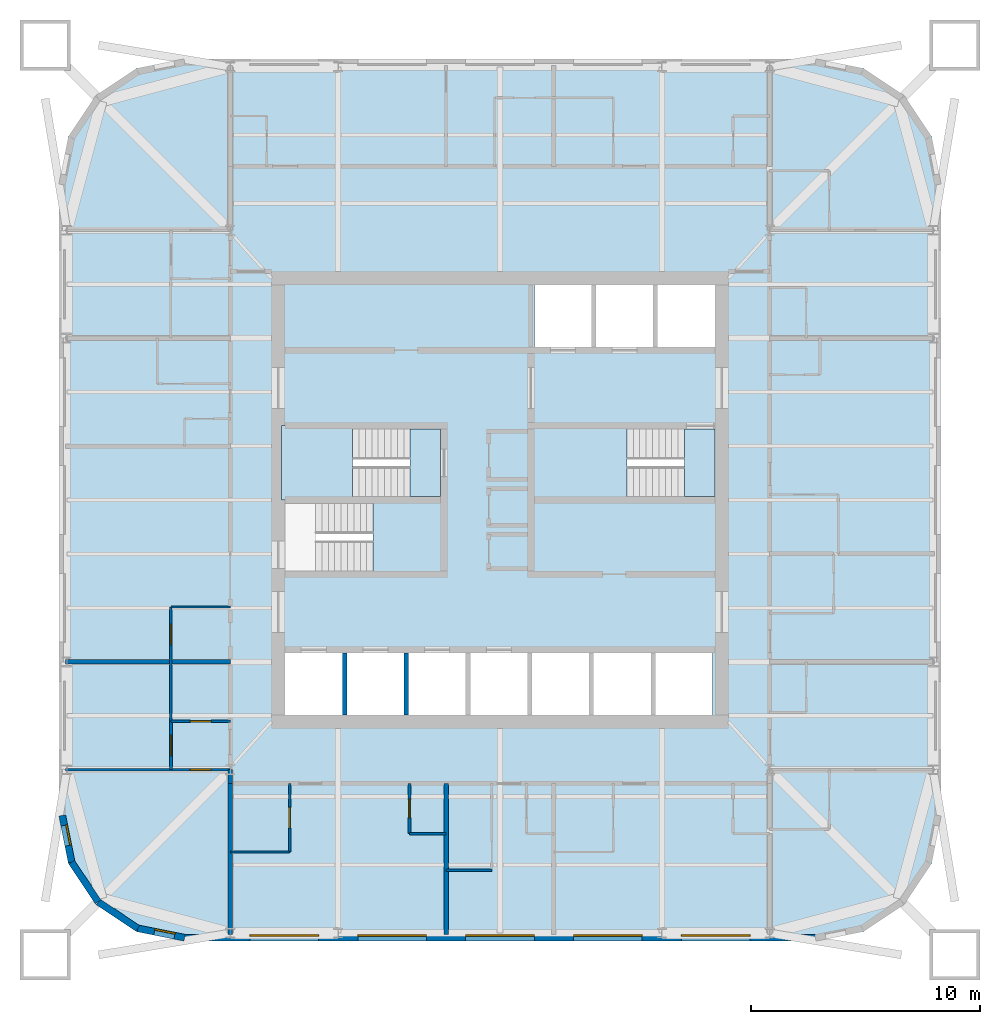
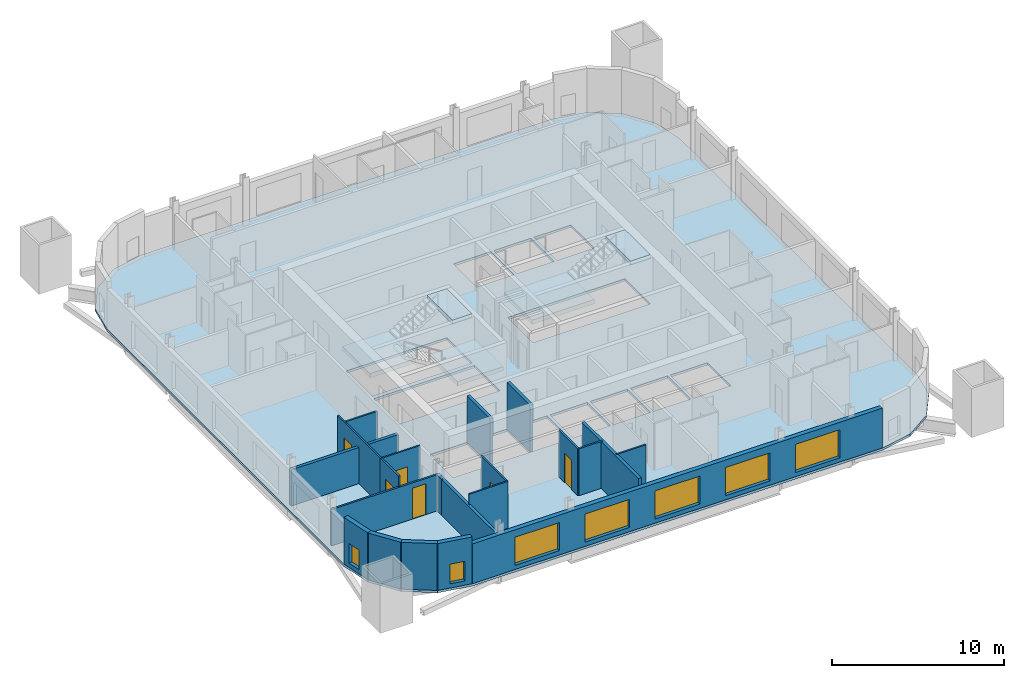
# One storey, part 2 of 8: 21 walls, 7 windows, 6 doors, 6 slabs, 13 openings, 3 elements without a shape of their own.
"""IFC4 building model written with IfcOpenShell, lengths in metres."""

from ifc_helpers import new_model, si_unit, direction, frame, frame_2d, origin, place, context, subcontext, project, spatial, polyline, rectangle, outline, extrude, material, layer, layer_set, type_object, element, fill, aggregate, save


model = new_model("IFC4")

# Units and contexts
model_context = context("Model", 3, precision=1e-05, world=origin(), true_north=direction((0.0, 1.0)))
body_context = subcontext(model_context, "Body", "Model", "MODEL_VIEW")
ifc_project = project(units=[si_unit("LENGTHUNIT", "METRE"), si_unit("AREAUNIT", "SQUARE_METRE"), si_unit("VOLUMEUNIT", "CUBIC_METRE"), si_unit("PLANEANGLEUNIT", "RADIAN"), si_unit("MASSUNIT", "GRAM", prefix="KILO")], contexts=[model_context])

# Site, building, storey
site_placement = place(None, origin())
site = spatial("IfcSite", under=ifc_project, at=site_placement, CompositionType="ELEMENT")
building_placement = place(site_placement, origin())
building = spatial("IfcBuilding", under=site, at=building_placement, Name="Turquesa Mirador Hotel Tower", CompositionType="ELEMENT")
storey_placement = place(building_placement, frame((0.0, 0.0, 165.300048828125)))
storey = spatial("IfcBuildingStorey", under=building, at=storey_placement, Name="L44", CompositionType="ELEMENT", Elevation=165.300048828125)

# Slab
ifc_material_1 = material(Name="Concrete C28/35", Category="concrete")
ifc_layer_1 = layer(ifc_material_1, 0.169921875)
ifc_layer_set_1 = layer_set([ifc_layer_1], Name="COMPOSITE FLOOR SLAB 170")
slab_type_1 = type_object("IfcSlabType", Name="COMPOSITE FLOOR SLAB 170", PredefinedType="FLOOR", material=ifc_layer_set_1)
slab_1_placement = place(storey_placement, frame((0.0, 0.0, -0.170166015625)))
element("IfcSlab", 1, at=slab_1_placement, inside=storey, type_object=slab_type_1, Name="Floor slab L44", PredefinedType="FLOOR", context=body_context, shape_type="SweptSolid", body=[
    extrude(outline(polyline([(68.800048828125, 25.699951171875), (70.90478515625, 26.11865234375), (72.689208984375, 27.310791015625), (73.88134765625, 29.09521484375), (74.300048828125, 31.199951171875), (74.300048828125, 58.800048828125), (73.88134765625, 60.90478515625), (72.689208984375, 62.689208984375), (70.90478515625, 63.88134765625), (68.800048828125, 64.300048828125), (41.199951171875, 64.300048828125), (39.09521484375, 63.88134765625), (37.310791015625, 62.689208984375), (36.11865234375, 60.90478515625), (35.699951171875, 58.800048828125), (35.699951171875, 31.199951171875), (36.11865234375, 29.09521484375), (37.310791015625, 27.310791015625), (39.09521484375, 26.11865234375), (41.199951171875, 25.699951171875), (68.800048828125, 25.699951171875)]), holes=[polyline([(56.5, 51.699951171875), (59.0, 51.699951171875), (59.0, 54.39990234375), (56.5, 54.39990234375), (56.5, 51.699951171875)]), polyline([(59.199951171875, 51.699951171875), (61.699951171875, 51.699951171875), (61.699951171875, 54.39990234375), (59.199951171875, 54.39990234375), (59.199951171875, 51.699951171875)]), polyline([(45.60009765625, 35.60009765625), (48.10009765625, 35.60009765625), (48.10009765625, 38.300048828125), (45.60009765625, 38.300048828125), (45.60009765625, 35.60009765625)]), polyline([(48.300048828125, 35.60009765625), (50.800048828125, 35.60009765625), (50.800048828125, 38.300048828125), (48.300048828125, 38.300048828125), (48.300048828125, 35.60009765625)]), polyline([(51.0, 35.60009765625), (53.5, 35.60009765625), (53.5, 38.300048828125), (51.0, 38.300048828125), (51.0, 35.60009765625)]), polyline([(53.699951171875, 35.60009765625), (56.199951171875, 35.60009765625), (56.199951171875, 38.300048828125), (53.699951171875, 38.300048828125), (53.699951171875, 35.60009765625)]), polyline([(56.39990234375, 35.60009765625), (58.89990234375, 35.60009765625), (58.89990234375, 38.300048828125), (56.39990234375, 38.300048828125), (56.39990234375, 35.60009765625)]), polyline([(59.10009765625, 35.60009765625), (61.60009765625, 35.60009765625), (61.60009765625, 38.300048828125), (59.10009765625, 38.300048828125), (59.10009765625, 35.60009765625)]), polyline([(61.800048828125, 35.60009765625), (64.300048828125, 35.60009765625), (64.300048828125, 38.300048828125), (61.800048828125, 38.300048828125), (61.800048828125, 35.60009765625)]), polyline([(45.60009765625, 45.14990234375), (52.39990234375, 45.14990234375), (52.39990234375, 48.10009765625), (45.60009765625, 48.10009765625), (45.60009765625, 45.14990234375)]), polyline([(45.60009765625, 41.89990234375), (52.39990234375, 41.89990234375), (52.39990234375, 44.85009765625), (45.60009765625, 44.85009765625), (45.60009765625, 41.89990234375)]), polyline([(56.5, 45.14990234375), (64.39990234375, 45.14990234375), (64.39990234375, 48.10009765625), (56.5, 48.10009765625), (56.5, 45.14990234375)]), polyline([(61.89990234375, 51.699951171875), (64.39990234375, 51.699951171875), (64.39990234375, 54.39990234375), (61.89990234375, 54.39990234375), (61.89990234375, 51.699951171875)])]), origin(), (0.0, 0.0, 1.0), 0.170166015625),
])

# Stair, slabs
ifc_material_2 = material(Name="Concrete C35/45", Category="concrete")
stair_type = type_object("IfcStairType", Name="ESCAPE STAIR CORE", PredefinedType="HALF_TURN_STAIR", material=ifc_material_2)
stair_1_placement = place(storey_placement, origin())
stair_1 = element("IfcStair", 2, at=stair_1_placement, inside=storey, type_object=stair_type, Name="Stair ST1 L44 to L45", PredefinedType="HALF_TURN_STAIR")
ifc_material_3 = material(Name="Concrete C35/45", Category="concrete")
ifc_layer_2 = layer(ifc_material_3, 0.300048828125)
ifc_layer_set_2 = layer_set([ifc_layer_2], Name="STAIR LANDING 300")
slab_type_2 = type_object("IfcSlabType", Name="STAIR LANDING 300", PredefinedType="LANDING", material=ifc_layer_set_2)
slab_2_placement = place(storey_placement, frame((0.0, 0.0, 1.449951171875)))
slab_2 = element("IfcSlab", 3, at=slab_2_placement, type_object=slab_type_2, Name="ST1 landing 1", PredefinedType="LANDING", context=body_context, shape_type="SweptSolid", body=[
    extrude(outline(polyline([(45.449951171875, 45.0), (48.550048828125, 45.0), (48.550048828125, 48.25), (45.449951171875, 48.25), (45.449951171875, 45.0)])), origin(), (0.0, 0.0, 1.0), 0.300048828125),
])
slab_3_placement = place(storey_placement, frame((0.0, 0.0, 3.199951171875)))
slab_3 = element("IfcSlab", 4, at=slab_3_placement, type_object=slab_type_2, Name="ST1 landing 2", PredefinedType="LANDING", context=body_context, shape_type="SweptSolid", body=[
    extrude(outline(polyline([(51.070068359375, 45.14990234375), (52.39990234375, 45.14990234375), (52.39990234375, 48.10009765625), (51.070068359375, 48.10009765625), (51.070068359375, 45.14990234375)])), origin(), (0.0, 0.0, 1.0), 0.300048828125),
])
aggregate(stair_1, [slab_2, slab_3])

# Stair, slab
stair_2_placement = place(storey_placement, origin())
stair_2 = element("IfcStair", 5, at=stair_2_placement, inside=storey, type_object=stair_type, Name="Stair ST2 L44 to L45", PredefinedType="HALF_TURN_STAIR")
slab_4_placement = place(storey_placement, frame((0.0, 0.0, 1.449951171875)))
slab_4 = element("IfcSlab", 6, at=slab_4_placement, type_object=slab_type_2, Name="ST2 landing 1", PredefinedType="LANDING", context=body_context, shape_type="SweptSolid", body=[
    extrude(outline(polyline([(52.550048828125, 45.0), (49.449951171875, 45.0), (49.449951171875, 41.75), (52.550048828125, 41.75), (52.550048828125, 45.0)])), origin(), (0.0, 0.0, 1.0), 0.300048828125),
])
aggregate(stair_2, [slab_4])

# Stair, slabs
stair_3_placement = place(storey_placement, origin())
stair_3 = element("IfcStair", 7, at=stair_3_placement, inside=storey, type_object=stair_type, Name="Stair ST3 L44 to L45", PredefinedType="HALF_TURN_STAIR")
slab_5_placement = place(storey_placement, frame((0.0, 0.0, 1.449951171875)))
slab_5 = element("IfcSlab", 8, at=slab_5_placement, type_object=slab_type_2, Name="ST3 landing 1", PredefinedType="LANDING", context=body_context, shape_type="SweptSolid", body=[
    extrude(outline(polyline([(56.35009765625, 45.0), (60.550048828125, 45.0), (60.550048828125, 48.25), (56.35009765625, 48.25), (56.35009765625, 45.0)])), origin(), (0.0, 0.0, 1.0), 0.300048828125),
])
slab_6_placement = place(storey_placement, frame((0.0, 0.0, 3.199951171875)))
slab_6 = element("IfcSlab", 9, at=slab_6_placement, type_object=slab_type_2, Name="ST3 landing 2", PredefinedType="LANDING", context=body_context, shape_type="SweptSolid", body=[
    extrude(outline(polyline([(63.070068359375, 45.14990234375), (64.39990234375, 45.14990234375), (64.39990234375, 48.10009765625), (63.070068359375, 48.10009765625), (63.070068359375, 45.14990234375)])), origin(), (0.0, 0.0, 1.0), 0.300048828125),
])
aggregate(stair_3, [slab_5, slab_6])

# Walls
ifc_material_4 = material(Name="Gypsum board on steel studs", Category="steel")
ifc_layer_3 = layer(ifc_material_4, 0.10009765625)
ifc_layer_set_3 = layer_set([ifc_layer_3], Name="BATHROOM WALL 100")
wall_type_1 = type_object("IfcWallType", Name="BATHROOM WALL 100", PredefinedType="PARTITIONING", material=ifc_layer_set_3)
wall_1_placement = place(storey_placement, frame((43.199951171875, 29.60009765625, 0.0), z_axis=(0.0, 0.0, 1.0), x_axis=(1.0, 0.0, 0.0)))
element("IfcWall", 10, at=wall_1_placement, inside=storey, type_object=wall_type_1, Name="Partition L44 009", PredefinedType="PARTITIONING", context=body_context, shape_type="SweptSolid", body=[
    extrude(rectangle(XDim=2.60009765625, YDim=0.10009765625, at=frame_2d((1.300048828125, 0.0))), origin(), (0.0, 0.0, 1.0), 3.329833984375),
])
wall_2_placement = place(storey_placement, frame((52.639892578125, 28.800048828125, 0.0), z_axis=(0.0, 0.0, 1.0), x_axis=(1.0, 0.0, 0.0)))
element("IfcWall", 11, at=wall_2_placement, inside=storey, type_object=wall_type_1, Name="Partition L44 011", PredefinedType="PARTITIONING", context=body_context, shape_type="SweptSolid", body=[
    extrude(rectangle(XDim=2.0, YDim=0.10009765625, at=frame_2d((1.0, 0.0))), origin(), (0.0, 0.0, 1.0), 3.329833984375),
])
wall_3_placement = place(storey_placement, frame((40.60009765625, 40.320068359375, 0.0), z_axis=(0.0, 0.0, 1.0), x_axis=(1.0, 0.0, 0.0)))
element("IfcWall", 12, at=wall_3_placement, inside=storey, type_object=wall_type_1, Name="Partition L44 014", PredefinedType="PARTITIONING", context=body_context, shape_type="SweptSolid", body=[
    extrude(rectangle(XDim=2.599853515625, YDim=0.10009765625, at=frame_2d((1.2998046875, 0.0))), origin(), (0.0, 0.0, 1.0), 2.73046875),
])

# Wall, opening, door
wall_4_placement = place(storey_placement, frame((40.60009765625, 35.320068359375, 0.0), z_axis=(0.0, 0.0, 1.0), x_axis=(1.0, 0.0, 0.0)))
wall_4 = element("IfcWall", 13, at=wall_4_placement, inside=storey, type_object=wall_type_1, Name="Partition L44 019", PredefinedType="PARTITIONING", context=body_context, shape_type="SweptSolid", body=[
    extrude(rectangle(XDim=2.599853515625, YDim=0.10009765625, at=frame_2d((1.2998046875, 0.0))), origin(), (0.0, 0.0, 1.0), 3.329833984375),
])
opening_1_placement = place(wall_4_placement, frame((0.85009765625, 0.0, 0.0)))
opening_1 = element("IfcOpeningElement", 14, at=opening_1_placement, cuts=wall_4, Name="Opening D02", PredefinedType="OPENING", context=body_context, shape_type="SweptSolid", body=[
    extrude(rectangle(XDim=0.89990234375, YDim=2.10009765625, at=frame_2d((0.449951171875, 1.050048828125))), frame((0.0, 0.06005859375, 0.0), z_axis=(0.0, -1.0, 0.0), x_axis=(1.0, 0.0, 0.0)), (0.0, 0.0, 1.0), 0.1201171875),
])
ifc_material_5 = material(Name="Timber veneered door", Category="wood")
door_type_1 = type_object("IfcDoorType", Name="DOOR 900X2100 EN-SUITE", OperationType="SINGLE_SWING_RIGHT", PredefinedType="DOOR", material=ifc_material_5)
door_1_placement = place(opening_1_placement, origin())
door_1 = element("IfcDoor", 15, at=door_1_placement, inside=storey, type_object=door_type_1, Name="Door 4411B", OperationType="SINGLE_SWING_RIGHT", OverallHeight=2.10009765625, OverallWidth=0.89990234375, PredefinedType="DOOR", context=body_context, shape_type="SweptSolid", body=[
    extrude(rectangle(XDim=0.89990234375, YDim=2.10009765625, at=frame_2d((0.449951171875, 1.050048828125))), frame((0.0, 0.02490234375, 0.0), z_axis=(0.0, -1.0, 0.0), x_axis=(1.0, 0.0, 0.0)), (0.0, 0.0, 1.0), 0.050048828125),
])
fill(opening_1, door_1)

wall_5_placement = place(storey_placement, frame((40.60009765625, 35.320068359375, 0.0), z_axis=(0.0, 0.0, 1.0), x_axis=(0.0, 1.0, 0.0)))
wall_5 = element("IfcWall", 16, at=wall_5_placement, inside=storey, type_object=wall_type_1, Name="Partition L44 046", PredefinedType="PARTITIONING", context=body_context, shape_type="SweptSolid", body=[
    extrude(rectangle(XDim=5.0, YDim=0.10009765625, at=frame_2d((2.5, 0.0))), origin(), (0.0, 0.0, 1.0), 3.329833984375),
])
opening_2_placement = place(wall_5_placement, frame((3.35009765625, 0.0, 0.0)))
opening_2 = element("IfcOpeningElement", 17, at=opening_2_placement, cuts=wall_5, Name="Opening D17", PredefinedType="OPENING", context=body_context, shape_type="SweptSolid", body=[
    extrude(rectangle(XDim=0.89990234375, YDim=2.199951171875, at=frame_2d((0.449951171875, 1.10009765625))), frame((0.0, 0.06005859375, 0.0), z_axis=(0.0, -1.0, 0.0), x_axis=(1.0, 0.0, 0.0)), (0.0, 0.0, 1.0), 0.1201171875),
])
ifc_material_6 = material(Name="Timber veneered door", Category="wood")
door_type_2 = type_object("IfcDoorType", Name="DOOR 900X2200 SUITE INTERNAL", OperationType="SINGLE_SWING_LEFT", PredefinedType="DOOR", material=ifc_material_6)
door_2_placement = place(opening_2_placement, origin())
door_2 = element("IfcDoor", 18, at=door_2_placement, inside=storey, type_object=door_type_2, Name="Door L44-LGP", OperationType="SINGLE_SWING_LEFT", OverallHeight=2.199951171875, OverallWidth=0.89990234375, PredefinedType="DOOR", context=body_context, shape_type="SweptSolid", body=[
    extrude(rectangle(XDim=0.89990234375, YDim=2.199951171875, at=frame_2d((0.449951171875, 1.10009765625))), frame((0.0, 0.02490234375, 0.0), z_axis=(0.0, -1.0, 0.0), x_axis=(1.0, 0.0, 0.0)), (0.0, 0.0, 1.0), 0.050048828125),
])
fill(opening_2, door_2)

wall_6_placement = place(storey_placement, frame((45.800048828125, 29.60009765625, 0.0), z_axis=(0.0, 0.0, 1.0), x_axis=(0.0, 1.0, 0.0)))
wall_6 = element("IfcWall", 19, at=wall_6_placement, inside=storey, type_object=wall_type_1, Name="Partition L44 054", PredefinedType="PARTITIONING", context=body_context, shape_type="SweptSolid", body=[
    extrude(rectangle(XDim=3.0, YDim=0.10009765625, at=frame_2d((1.5, 0.0))), origin(), (0.0, 0.0, 1.0), 3.329833984375),
])
opening_3_placement = place(wall_6_placement, frame((1.050048828125, 0.0, 0.0)))
opening_3 = element("IfcOpeningElement", 20, at=opening_3_placement, cuts=wall_6, Name="Opening D02", PredefinedType="OPENING", context=body_context, shape_type="SweptSolid", body=[
    extrude(rectangle(XDim=0.89990234375, YDim=2.10009765625, at=frame_2d((0.449951171875, 1.050048828125))), frame((0.0, 0.06005859375, 0.0), z_axis=(0.0, -1.0, 0.0), x_axis=(1.0, 0.0, 0.0)), (0.0, 0.0, 1.0), 0.1201171875),
])
door_3_placement = place(opening_3_placement, origin())
door_3 = element("IfcDoor", 21, at=door_3_placement, inside=storey, type_object=door_type_1, Name="Door 4403B", OperationType="SINGLE_SWING_RIGHT", OverallHeight=2.10009765625, OverallWidth=0.89990234375, PredefinedType="DOOR", context=body_context, shape_type="SweptSolid", body=[
    extrude(rectangle(XDim=0.89990234375, YDim=2.10009765625, at=frame_2d((0.449951171875, 1.050048828125))), frame((0.0, 0.02490234375, 0.0), z_axis=(0.0, -1.0, 0.0), x_axis=(1.0, 0.0, 0.0)), (0.0, 0.0, 1.0), 0.050048828125),
])
fill(opening_3, door_3)

# Wall
ifc_material_7 = material(Name="Fire-rated gypsum board on steel studs", Category="steel")
ifc_layer_4 = layer(ifc_material_7, 0.199951171875)
ifc_layer_set_4 = layer_set([ifc_layer_4], Name="CORRIDOR WALL 200")
wall_type_2 = type_object("IfcWallType", Name="CORRIDOR WALL 200", PredefinedType="PARTITIONING", material=ifc_layer_set_4)
wall_7_placement = place(storey_placement, frame((43.199951171875, 32.60009765625, 0.0), z_axis=(0.0, 0.0, 1.0), x_axis=(0.0, 1.0, 0.0)))
element("IfcWall", 22, at=wall_7_placement, inside=storey, type_object=wall_type_2, Name="Partition L44 073", PredefinedType="PARTITIONING", context=body_context, shape_type="SweptSolid", body=[
    extrude(rectangle(XDim=0.619873046875, YDim=0.199951171875, at=frame_2d((0.31005859375, 0.0))), origin(), (0.0, 0.0, 1.0), 2.572998046875),
])

# Wall, opening, window
ifc_material_8 = material(Name="Limestone cladding on concrete block", Category="masonry")
ifc_layer_5 = layer(ifc_material_8, 0.300048828125)
ifc_layer_set_5 = layer_set([ifc_layer_5], Name="FACADE WALL 300 STONE SCREEN")
wall_type_3 = type_object("IfcWallType", Name="FACADE WALL 300 STONE SCREEN", PredefinedType="SOLIDWALL", material=ifc_layer_set_5)
wall_8_placement = place(storey_placement, frame((35.85009765625, 31.199951171875, 0.0), z_axis=(0.0, 0.0, 1.0), x_axis=(0.195081421501, -0.980787050784, 0.0)))
wall_8 = element("IfcWall", 23, at=wall_8_placement, inside=storey, type_object=wall_type_3, Name="Facade wall L44 15", PredefinedType="SOLIDWALL", context=body_context, shape_type="SweptSolid", body=[
    extrude(rectangle(XDim=2.08740234375, YDim=0.300048828125, at=frame_2d((1.043701171875, 0.0))), origin(), (0.0, 0.0, 1.0), 3.329833984375),
])
opening_4_placement = place(wall_8_placement, frame((0.443603515625, 0.0, 0.300048828125)))
opening_4 = element("IfcOpeningElement", 24, at=opening_4_placement, cuts=wall_8, Name="Opening WN22", PredefinedType="OPENING", context=body_context, shape_type="SweptSolid", body=[
    extrude(rectangle(XDim=0.89990234375, YDim=1.39990234375, at=frame_2d((0.449951171875, 0.699951171875))), frame((0.0, 0.159912109375, 0.0), z_axis=(0.0, -1.0, 0.0), x_axis=(1.0, 0.0, 0.0)), (0.0, 0.0, 1.0), 0.320068359375),
])
ifc_material_9 = material(Name="Ceramic-fritted laminated glass", Category="glass")
window_type_1 = type_object("IfcWindowType", Name="FRITTED CORNER WINDOW 900X1400", PartitioningType="DOUBLE_PANEL_HORIZONTAL", PredefinedType="WINDOW", material=ifc_material_9)
window_1_placement = place(opening_4_placement, origin())
window_1 = element("IfcWindow", 25, at=window_1_placement, inside=storey, type_object=window_type_1, Name="Window L44", OverallHeight=1.39990234375, OverallWidth=0.89990234375, PartitioningType="SINGLE_PANEL", PredefinedType="WINDOW", context=body_context, shape_type="SweptSolid", body=[
    extrude(rectangle(XDim=0.89990234375, YDim=1.39990234375, at=frame_2d((0.449951171875, 0.699951171875))), frame((0.0, 0.130126953125, 0.0), z_axis=(0.0, -1.0, 0.0), x_axis=(1.0, 0.0, 0.0)), (0.0, 0.0, 1.0), 0.06005859375),
])
fill(opening_4, window_1)

# Walls
for number, where, z_axis, x_axis, name in (
    (26, (36.25732421875, 29.152587890625, 0.0), (0.0, 0.0, 1.0), (0.555563607591, -0.831474039234, 0.0), "Facade wall L44 16"),
    (27, (37.4169921875, 27.4169921875, 0.0), (0.0, 0.0, 1.0), (0.831474039234, -0.555563607591, 0.0), "Facade wall L44 17"),
):
    element("IfcWall", number, at=place(storey_placement, frame(where, z_axis=z_axis, x_axis=x_axis)), inside=storey, type_object=wall_type_3, Name=name, PredefinedType="SOLIDWALL", context=body_context, shape_type="SweptSolid", body=[
        extrude(rectangle(XDim=2.08740234375, YDim=0.300048828125, at=frame_2d((1.043701171875, 0.0))), origin(), (0.0, 0.0, 1.0), 3.329833984375),
    ])

# Wall, opening, window
wall_9_placement = place(storey_placement, frame((39.152587890625, 26.25732421875, 0.0), z_axis=(0.0, 0.0, 1.0), x_axis=(0.980787050784, -0.195081421501, 0.0)))
wall_9 = element("IfcWall", 28, at=wall_9_placement, inside=storey, type_object=wall_type_3, Name="Facade wall L44 18", PredefinedType="SOLIDWALL", context=body_context, shape_type="SweptSolid", body=[
    extrude(rectangle(XDim=2.08740234375, YDim=0.300048828125, at=frame_2d((1.043701171875, 0.0))), origin(), (0.0, 0.0, 1.0), 3.329833984375),
])
opening_5_placement = place(wall_9_placement, frame((0.74365234375, 0.0, 0.300048828125)))
opening_5 = element("IfcOpeningElement", 29, at=opening_5_placement, cuts=wall_9, Name="Opening WN22", PredefinedType="OPENING", context=body_context, shape_type="SweptSolid", body=[
    extrude(rectangle(XDim=0.89990234375, YDim=1.39990234375, at=frame_2d((0.449951171875, 0.699951171875))), frame((0.0, 0.159912109375, 0.0), z_axis=(0.0, -1.0, 0.0), x_axis=(1.0, 0.0, 0.0)), (0.0, 0.0, 1.0), 0.320068359375),
])
window_2_placement = place(opening_5_placement, origin())
window_2 = element("IfcWindow", 30, at=window_2_placement, inside=storey, type_object=window_type_1, Name="Window L44", OverallHeight=1.39990234375, OverallWidth=0.89990234375, PartitioningType="SINGLE_PANEL", PredefinedType="WINDOW", context=body_context, shape_type="SweptSolid", body=[
    extrude(rectangle(XDim=0.89990234375, YDim=1.39990234375, at=frame_2d((0.449951171875, 0.699951171875))), frame((0.0, 0.130126953125, 0.0), z_axis=(0.0, -1.0, 0.0), x_axis=(1.0, 0.0, 0.0)), (0.0, 0.0, 1.0), 0.06005859375),
])
fill(opening_5, window_2)

# Wall, openings, windows
wall_10_placement = place(storey_placement, frame((41.199951171875, 25.85009765625, 0.0), z_axis=(0.0, 0.0, 1.0), x_axis=(1.0, 0.0, 0.0)))
wall_10 = element("IfcWall", 31, at=wall_10_placement, inside=storey, type_object=wall_type_3, Name="Facade wall L44 19", PredefinedType="SOLIDWALL", context=body_context, shape_type="SweptSolid", body=[
    extrude(rectangle(XDim=27.60009765625, YDim=0.300048828125, at=frame_2d((13.800048828125, 0.0))), origin(), (0.0, 0.0, 1.0), 2.829833984375),
])
opening_6_placement = place(wall_10_placement, frame((2.860107421875, 0.0, 0.300048828125)))
opening_6 = element("IfcOpeningElement", 32, at=opening_6_placement, cuts=wall_10, Name="Opening WN1", PredefinedType="OPENING", context=body_context, shape_type="SweptSolid", body=[
    extrude(rectangle(XDim=3.0, YDim=2.0, at=frame_2d((1.5, 1.0))), frame((0.0, 0.159912109375, 0.0), z_axis=(0.0, -1.0, 0.0), x_axis=(1.0, 0.0, 0.0)), (0.0, 0.0, 1.0), 0.320068359375),
])
opening_7_placement = place(wall_10_placement, frame((7.580078125, 0.0, 0.300048828125)))
opening_7 = element("IfcOpeningElement", 33, at=opening_7_placement, cuts=wall_10, Name="Opening WN1", PredefinedType="OPENING", context=body_context, shape_type="SweptSolid", body=[
    extrude(rectangle(XDim=3.0, YDim=2.0, at=frame_2d((1.5, 1.0))), frame((0.0, 0.159912109375, 0.0), z_axis=(0.0, -1.0, 0.0), x_axis=(1.0, 0.0, 0.0)), (0.0, 0.0, 1.0), 0.320068359375),
])
opening_8_placement = place(wall_10_placement, frame((12.300048828125, 0.0, 0.300048828125)))
opening_8 = element("IfcOpeningElement", 34, at=opening_8_placement, cuts=wall_10, Name="Opening WN1", PredefinedType="OPENING", context=body_context, shape_type="SweptSolid", body=[
    extrude(rectangle(XDim=3.0, YDim=2.0, at=frame_2d((1.5, 1.0))), frame((0.0, 0.159912109375, 0.0), z_axis=(0.0, -1.0, 0.0), x_axis=(1.0, 0.0, 0.0)), (0.0, 0.0, 1.0), 0.320068359375),
])
opening_9_placement = place(wall_10_placement, frame((17.02001953125, 0.0, 0.300048828125)))
opening_9 = element("IfcOpeningElement", 35, at=opening_9_placement, cuts=wall_10, Name="Opening WN1", PredefinedType="OPENING", context=body_context, shape_type="SweptSolid", body=[
    extrude(rectangle(XDim=3.0, YDim=2.0, at=frame_2d((1.5, 1.0))), frame((0.0, 0.159912109375, 0.0), z_axis=(0.0, -1.0, 0.0), x_axis=(1.0, 0.0, 0.0)), (0.0, 0.0, 1.0), 0.320068359375),
])
opening_10_placement = place(wall_10_placement, frame((21.739990234375, 0.0, 0.300048828125)))
opening_10 = element("IfcOpeningElement", 36, at=opening_10_placement, cuts=wall_10, Name="Opening WN1", PredefinedType="OPENING", context=body_context, shape_type="SweptSolid", body=[
    extrude(rectangle(XDim=3.0, YDim=2.0, at=frame_2d((1.5, 1.0))), frame((0.0, 0.159912109375, 0.0), z_axis=(0.0, -1.0, 0.0), x_axis=(1.0, 0.0, 0.0)), (0.0, 0.0, 1.0), 0.320068359375),
])
ifc_material_10 = material(Name="Ceramic-fritted laminated glass", Category="glass")
window_type_2 = type_object("IfcWindowType", Name="FRITTED WINDOW 3000X2000", PartitioningType="DOUBLE_PANEL_HORIZONTAL", PredefinedType="WINDOW", material=ifc_material_10)
window_3_placement = place(opening_6_placement, origin())
window_3 = element("IfcWindow", 37, at=window_3_placement, inside=storey, type_object=window_type_2, Name="Window L44", OverallHeight=2.0, OverallWidth=3.0, PartitioningType="SINGLE_PANEL", PredefinedType="WINDOW", context=body_context, shape_type="SweptSolid", body=[
    extrude(rectangle(XDim=3.0, YDim=2.0, at=frame_2d((1.5, 1.0))), frame((0.0, 0.130126953125, 0.0), z_axis=(0.0, -1.0, 0.0), x_axis=(1.0, 0.0, 0.0)), (0.0, 0.0, 1.0), 0.06005859375),
])
fill(opening_6, window_3)
window_4_placement = place(opening_7_placement, origin())
window_4 = element("IfcWindow", 38, at=window_4_placement, inside=storey, type_object=window_type_2, Name="Window L44", OverallHeight=2.0, OverallWidth=3.0, PartitioningType="SINGLE_PANEL", PredefinedType="WINDOW", context=body_context, shape_type="SweptSolid", body=[
    extrude(rectangle(XDim=3.0, YDim=2.0, at=frame_2d((1.5, 1.0))), frame((0.0, 0.130126953125, 0.0), z_axis=(0.0, -1.0, 0.0), x_axis=(1.0, 0.0, 0.0)), (0.0, 0.0, 1.0), 0.06005859375),
])
fill(opening_7, window_4)
window_5_placement = place(opening_8_placement, origin())
window_5 = element("IfcWindow", 39, at=window_5_placement, inside=storey, type_object=window_type_2, Name="Window L44", OverallHeight=2.0, OverallWidth=3.0, PartitioningType="SINGLE_PANEL", PredefinedType="WINDOW", context=body_context, shape_type="SweptSolid", body=[
    extrude(rectangle(XDim=3.0, YDim=2.0, at=frame_2d((1.5, 1.0))), frame((0.0, 0.130126953125, 0.0), z_axis=(0.0, -1.0, 0.0), x_axis=(1.0, 0.0, 0.0)), (0.0, 0.0, 1.0), 0.06005859375),
])
fill(opening_8, window_5)
window_6_placement = place(opening_9_placement, origin())
window_6 = element("IfcWindow", 40, at=window_6_placement, inside=storey, type_object=window_type_2, Name="Window L44", OverallHeight=2.0, OverallWidth=3.0, PartitioningType="SINGLE_PANEL", PredefinedType="WINDOW", context=body_context, shape_type="SweptSolid", body=[
    extrude(rectangle(XDim=3.0, YDim=2.0, at=frame_2d((1.5, 1.0))), frame((0.0, 0.130126953125, 0.0), z_axis=(0.0, -1.0, 0.0), x_axis=(1.0, 0.0, 0.0)), (0.0, 0.0, 1.0), 0.06005859375),
])
fill(opening_9, window_6)
window_7_placement = place(opening_10_placement, origin())
window_7 = element("IfcWindow", 41, at=window_7_placement, inside=storey, type_object=window_type_2, Name="Window L44", OverallHeight=2.0, OverallWidth=3.0, PartitioningType="SINGLE_PANEL", PredefinedType="WINDOW", context=body_context, shape_type="SweptSolid", body=[
    extrude(rectangle(XDim=3.0, YDim=2.0, at=frame_2d((1.5, 1.0))), frame((0.0, 0.130126953125, 0.0), z_axis=(0.0, -1.0, 0.0), x_axis=(1.0, 0.0, 0.0)), (0.0, 0.0, 1.0), 0.06005859375),
])
fill(opening_10, window_7)

# Walls
ifc_material_11 = material(Name="Fire-rated gypsum shaft wall on steel studs", Category="steel")
ifc_layer_6 = layer(ifc_material_11, 0.199951171875)
ifc_layer_set_6 = layer_set([ifc_layer_6], Name="LIFT SHAFT DIVIDER 200")
wall_type_4 = type_object("IfcWallType", Name="LIFT SHAFT DIVIDER 200", PredefinedType="PARTITIONING", material=ifc_layer_set_6)
for number, where, z_axis, x_axis, name in (
    (42, (48.199951171875, 35.60009765625, 0.0), (0.0, 0.0, 1.0), (0.0, 1.0, 0.0), "Lift shaft divider"),
    (43, (50.89990234375, 35.60009765625, 0.0), (0.0, 0.0, 1.0), (0.0, 1.0, 0.0), "Lift shaft divider"),
):
    element("IfcWall", number, at=place(storey_placement, frame(where, z_axis=z_axis, x_axis=x_axis)), inside=storey, type_object=wall_type_4, Name=name, PredefinedType="PARTITIONING", context=body_context, shape_type="SweptSolid", body=[
        extrude(rectangle(XDim=2.699951171875, YDim=0.199951171875, at=frame_2d((1.35009765625, 0.0))), origin(), (0.0, 0.0, 1.0), 3.329833984375),
    ])
ifc_material_12 = material(Name="Fire-rated gypsum board on steel studs", Category="steel")
ifc_layer_7 = layer(ifc_material_12, 0.199951171875)
ifc_layer_set_7 = layer_set([ifc_layer_7], Name="PARTY WALL 200")
wall_type_5 = type_object("IfcWallType", Name="PARTY WALL 200", PredefinedType="PARTITIONING", material=ifc_layer_set_7)
wall_11_placement = place(storey_placement, frame((36.0, 37.919921875, 0.0), z_axis=(0.0, 0.0, 1.0), x_axis=(1.0, 0.0, 0.0)))
element("IfcWall", 44, at=wall_11_placement, inside=storey, type_object=wall_type_5, Name="Partition L44 016", PredefinedType="PARTITIONING", context=body_context, shape_type="SweptSolid", body=[
    extrude(rectangle(XDim=7.199951171875, YDim=0.199951171875, at=frame_2d((3.60009765625, 0.0))), origin(), (0.0, 0.0, 1.0), 2.572998046875),
])
wall_12_placement = place(storey_placement, frame((43.199951171875, 26.0, 0.0), z_axis=(0.0, 0.0, 1.0), x_axis=(0.0, 1.0, 0.0)))
element("IfcWall", 45, at=wall_12_placement, inside=storey, type_object=wall_type_5, Name="Partition L44 043", PredefinedType="PARTITIONING", context=body_context, shape_type="SweptSolid", body=[
    extrude(rectangle(XDim=6.60009765625, YDim=0.199951171875, at=frame_2d((3.300048828125, 0.0))), origin(), (0.0, 0.0, 1.0), 2.572998046875),
])
wall_13_placement = place(storey_placement, frame((52.639892578125, 26.0, 0.0), z_axis=(0.0, 0.0, 1.0), x_axis=(0.0, 1.0, 0.0)))
element("IfcWall", 46, at=wall_13_placement, inside=storey, type_object=wall_type_5, Name="Partition L44 051", PredefinedType="PARTITIONING", context=body_context, shape_type="SweptSolid", body=[
    extrude(rectangle(XDim=6.60009765625, YDim=0.199951171875, at=frame_2d((3.300048828125, 0.0))), origin(), (0.0, 0.0, 1.0), 3.329833984375),
])

# Wall, opening, door
ifc_material_13 = material(Name="Acoustic gypsum board on steel studs", Category="steel")
ifc_layer_8 = layer(ifc_material_13, 0.125)
ifc_layer_set_8 = layer_set([ifc_layer_8], Name="SUITE PARTITION 125")
wall_type_6 = type_object("IfcWallType", Name="SUITE PARTITION 125", PredefinedType="PARTITIONING", material=ifc_layer_set_8)
wall_14_placement = place(storey_placement, frame((36.0, 33.199951171875, 0.0), z_axis=(0.0, 0.0, 1.0), x_axis=(1.0, 0.0, 0.0)))
wall_14 = element("IfcWall", 47, at=wall_14_placement, inside=storey, type_object=wall_type_6, Name="Partition L44 002", PredefinedType="PARTITIONING", context=body_context, shape_type="SweptSolid", body=[
    extrude(rectangle(XDim=7.199951171875, YDim=0.125, at=frame_2d((3.60009765625, 0.0))), origin(), (0.0, 0.0, 1.0), 2.572998046875),
])
opening_11_placement = place(wall_14_placement, frame((5.449951171875, 0.0, 0.0)))
opening_11 = element("IfcOpeningElement", 48, at=opening_11_placement, cuts=wall_14, Name="Opening D17", PredefinedType="OPENING", context=body_context, shape_type="SweptSolid", body=[
    extrude(rectangle(XDim=0.89990234375, YDim=2.199951171875, at=frame_2d((0.449951171875, 1.10009765625))), frame((0.0, 0.072509765625, 0.0), z_axis=(0.0, -1.0, 0.0), x_axis=(1.0, 0.0, 0.0)), (0.0, 0.0, 1.0), 0.14501953125),
])
door_4_placement = place(opening_11_placement, origin())
door_4 = element("IfcDoor", 49, at=door_4_placement, inside=storey, type_object=door_type_2, Name="Door 4411", OperationType="SINGLE_SWING_LEFT", OverallHeight=2.199951171875, OverallWidth=0.89990234375, PredefinedType="DOOR", context=body_context, shape_type="SweptSolid", body=[
    extrude(rectangle(XDim=0.89990234375, YDim=2.199951171875, at=frame_2d((0.449951171875, 1.10009765625))), frame((0.0, 0.02490234375, 0.0), z_axis=(0.0, -1.0, 0.0), x_axis=(1.0, 0.0, 0.0)), (0.0, 0.0, 1.0), 0.050048828125),
])
fill(opening_11, door_4)

# Wall
wall_15_placement = place(storey_placement, frame((51.0400390625, 30.39990234375, 0.0), z_axis=(0.0, 0.0, 1.0), x_axis=(1.0, 0.0, 0.0)))
element("IfcWall", 50, at=wall_15_placement, inside=storey, type_object=wall_type_6, Name="Partition L44 006", PredefinedType="PARTITIONING", context=body_context, shape_type="SweptSolid", body=[
    extrude(rectangle(XDim=1.599853515625, YDim=0.125, at=frame_2d((0.7998046875, 0.0))), origin(), (0.0, 0.0, 1.0), 3.329833984375),
])

# Wall, opening, door
wall_16_placement = place(storey_placement, frame((40.60009765625, 33.199951171875, 0.0), z_axis=(0.0, 0.0, 1.0), x_axis=(0.0, 1.0, 0.0)))
wall_16 = element("IfcWall", 51, at=wall_16_placement, inside=storey, type_object=wall_type_6, Name="Partition L44 048", PredefinedType="PARTITIONING", context=body_context, shape_type="SweptSolid", body=[
    extrude(rectangle(XDim=2.1201171875, YDim=0.125, at=frame_2d((1.06005859375, 0.0))), origin(), (0.0, 0.0, 1.0), 3.329833984375),
])
opening_12_placement = place(wall_16_placement, frame((0.610107421875, 0.0, 0.0)))
opening_12 = element("IfcOpeningElement", 52, at=opening_12_placement, cuts=wall_16, Name="Opening D17", PredefinedType="OPENING", context=body_context, shape_type="SweptSolid", body=[
    extrude(rectangle(XDim=0.89990234375, YDim=2.199951171875, at=frame_2d((0.449951171875, 1.10009765625))), frame((0.0, 0.072509765625, 0.0), z_axis=(0.0, -1.0, 0.0), x_axis=(1.0, 0.0, 0.0)), (0.0, 0.0, 1.0), 0.14501953125),
])
door_5_placement = place(opening_12_placement, origin())
door_5 = element("IfcDoor", 53, at=door_5_placement, inside=storey, type_object=door_type_2, Name="Door 4411R", OperationType="SINGLE_SWING_LEFT", OverallHeight=2.199951171875, OverallWidth=0.89990234375, PredefinedType="DOOR", context=body_context, shape_type="SweptSolid", body=[
    extrude(rectangle(XDim=0.89990234375, YDim=2.199951171875, at=frame_2d((0.449951171875, 1.10009765625))), frame((0.0, 0.02490234375, 0.0), z_axis=(0.0, -1.0, 0.0), x_axis=(1.0, 0.0, 0.0)), (0.0, 0.0, 1.0), 0.050048828125),
])
fill(opening_12, door_5)

wall_17_placement = place(storey_placement, frame((51.0400390625, 30.39990234375, 0.0), z_axis=(0.0, 0.0, 1.0), x_axis=(0.0, 1.0, 0.0)))
wall_17 = element("IfcWall", 54, at=wall_17_placement, inside=storey, type_object=wall_type_6, Name="Partition L44 053", PredefinedType="PARTITIONING", context=body_context, shape_type="SweptSolid", body=[
    extrude(rectangle(XDim=2.2001953125, YDim=0.125, at=frame_2d((1.10009765625, 0.0))), origin(), (0.0, 0.0, 1.0), 3.329833984375),
])
opening_13_placement = place(wall_17_placement, frame((0.699951171875, 0.0, 0.0)))
opening_13 = element("IfcOpeningElement", 55, at=opening_13_placement, cuts=wall_17, Name="Opening D20", PredefinedType="OPENING", context=body_context, shape_type="SweptSolid", body=[
    extrude(rectangle(XDim=0.800048828125, YDim=2.10009765625, at=frame_2d((0.39990234375, 1.050048828125))), frame((0.0, 0.072509765625, 0.0), z_axis=(0.0, -1.0, 0.0), x_axis=(1.0, 0.0, 0.0)), (0.0, 0.0, 1.0), 0.14501953125),
])
ifc_material_14 = material(Name="Timber veneered sliding door", Category="wood")
door_type_3 = type_object("IfcDoorType", Name="DOOR 800X2100 WARDROBE", OperationType="SLIDING_TO_LEFT", PredefinedType="DOOR", material=ifc_material_14)
door_6_placement = place(opening_13_placement, origin())
door_6 = element("IfcDoor", 56, at=door_6_placement, inside=storey, type_object=door_type_3, Name="Door 4403W", OperationType="SLIDING_TO_LEFT", OverallHeight=2.10009765625, OverallWidth=0.800048828125, PredefinedType="DOOR", context=body_context, shape_type="SweptSolid", body=[
    extrude(rectangle(XDim=0.800048828125, YDim=2.10009765625, at=frame_2d((0.39990234375, 1.050048828125))), frame((0.0, 0.02490234375, 0.0), z_axis=(0.0, -1.0, 0.0), x_axis=(1.0, 0.0, 0.0)), (0.0, 0.0, 1.0), 0.050048828125),
])
fill(opening_13, door_6)

save(model, "model.ifc")
